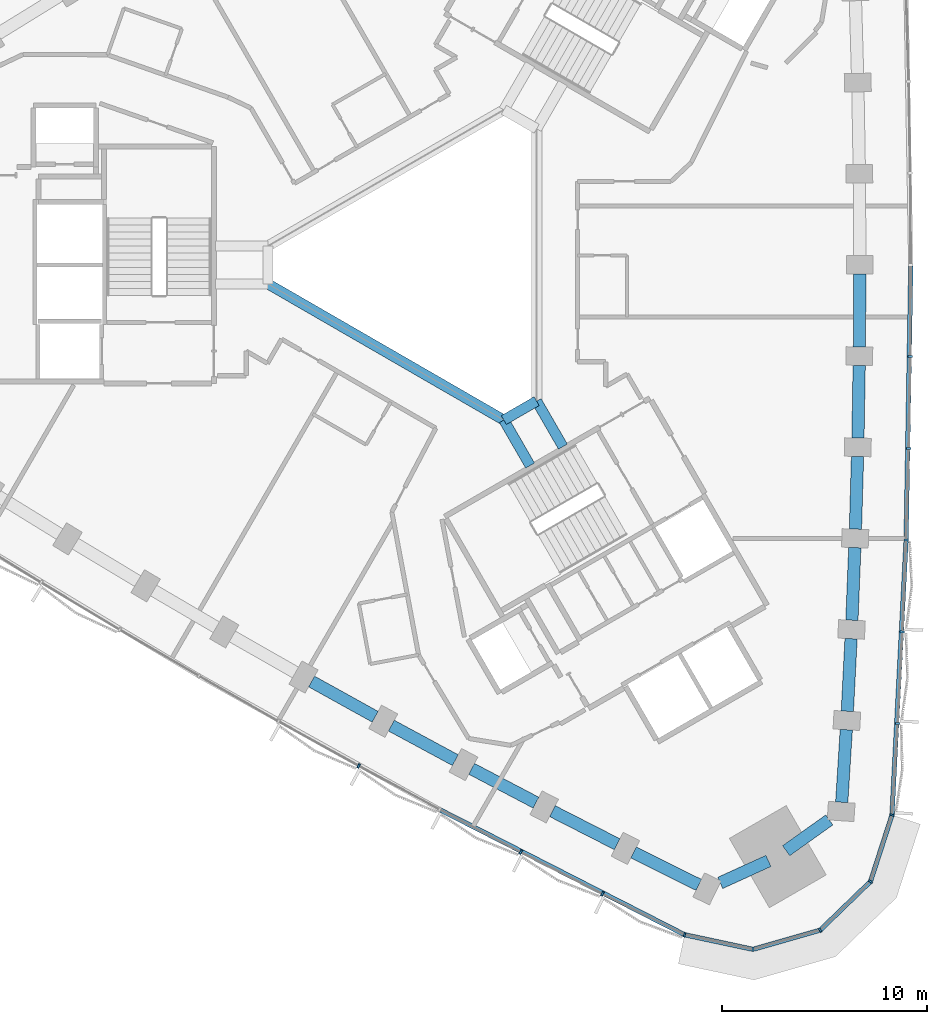
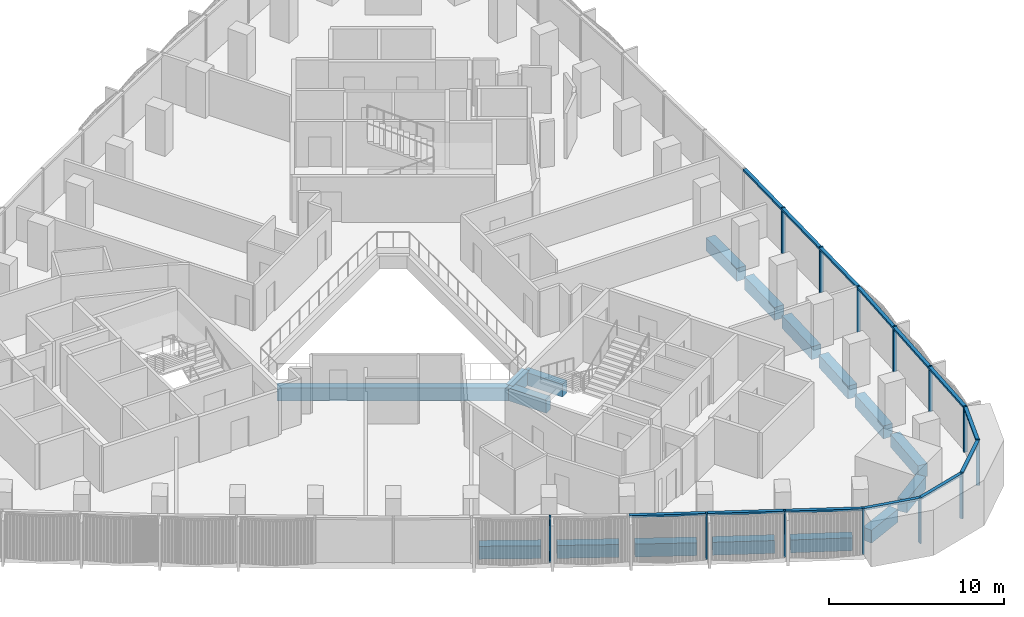
# One storey, part 3 of 15: 20 members, 17 beams, 2 elements without a shape of their own.
"""IFC4 building model written with IfcOpenShell, lengths in metres."""

from ifc_helpers import new_model, si_unit, direction, frame, origin, origin_2d, place, context, subcontext, project, spatial, rectangle, extrude, material, material_profile, profile_set, type_object, element, aggregate, save


model = new_model("IFC4")

# Units and contexts
model_context = context("Model", 3, precision=1e-05, world=origin(), true_north=direction((0.0, 1.0)))
body_context = subcontext(model_context, "Body", "Model", "MODEL_VIEW")
ifc_project = project(units=[si_unit("LENGTHUNIT", "METRE"), si_unit("AREAUNIT", "SQUARE_METRE"), si_unit("VOLUMEUNIT", "CUBIC_METRE"), si_unit("PLANEANGLEUNIT", "RADIAN"), si_unit("MASSUNIT", "GRAM", prefix="KILO")], contexts=[model_context])

# Site, building, storey
site_placement = place(None, origin())
site = spatial("IfcSite", under=ifc_project, at=site_placement, CompositionType="ELEMENT")
building_placement = place(site_placement, origin())
building = spatial("IfcBuilding", under=site, at=building_placement, Name="Tamra Quay Hotel Tower", CompositionType="ELEMENT")
storey_placement = place(building_placement, frame((0.0, 0.0, 97.39990234375)))
storey = spatial("IfcBuildingStorey", under=building, at=storey_placement, Name="L23", CompositionType="ELEMENT", Elevation=97.39990234375)

# Beams
ifc_material_1 = material(Name="Concrete M60", Category="concrete")
ifc_material_profile_1 = material_profile(ifc_material_1, rectangle(XDim=0.5, YDim=0.89990234375, at=origin_2d()), Name="ATRIUM EDGE BEAM RC 500x900")
ifc_profile_set_1 = profile_set([ifc_material_profile_1], Name="Concrete M60")
beam_type_1 = type_object("IfcBeamType", Name="ATRIUM EDGE BEAM RC 500x900", PredefinedType="BEAM", material=ifc_profile_set_1)
beam_1_placement = place(storey_placement, frame((4.89990234375, -6.639404296875, -0.875), z_axis=(-0.865989712182, -0.500061814573, 0.0), x_axis=(0.500061814573, -0.865989712182, 0.0)))
element("IfcBeam", 1, at=beam_1_placement, inside=storey, type_object=beam_type_1, Name="BM-AB1-L23", PredefinedType="BEAM", context=body_context, shape_type="SweptSolid", body=[
    extrude(rectangle(XDim=0.5, YDim=0.89990234375, at=origin_2d()), origin(), (0.0, 0.0, 1.0), 1.847412109375),
])
beam_2_placement = place(storey_placement, frame((3.300048828125, -7.563232421875, -0.875), z_axis=(-0.866029440693, 0.499993007805, 0.0), x_axis=(-0.499993007805, -0.866029440693, 0.0)))
element("IfcBeam", 2, at=beam_2_placement, inside=storey, type_object=beam_type_1, Name="BM-AB2-L23", PredefinedType="BEAM", context=body_context, shape_type="SweptSolid", body=[
    extrude(rectangle(XDim=0.5, YDim=0.89990234375, at=origin_2d()), origin(), (0.0, 0.0, 1.0), 13.279052734375),
])
ifc_material_profile_2 = material_profile(ifc_material_1, rectangle(XDim=0.5, YDim=0.89990234375, at=origin_2d()), Name="ATRIUM TIE BEAM RC 500x900")
ifc_profile_set_2 = profile_set([ifc_material_profile_2], Name="Concrete M60")
beam_type_2 = type_object("IfcBeamType", Name="ATRIUM TIE BEAM RC 500x900", PredefinedType="BEAM", material=ifc_profile_set_2)
for number, where, z_axis, x_axis, name in (
    (3, (4.89990234375, -6.639404296875, -0.875), (0.50003311468, -0.866006284171, 0.0), (0.866006284171, 0.50003311468, 0.0), "BM-TIE-1-L23"),
    (4, (3.300048828125, -7.563232421875, -0.875), (0.499961652204, -0.866047542763, 0.0), (0.866047542763, 0.499961652204, 0.0), "BM-TIE-2-L23"),
):
    element("IfcBeam", number, at=place(storey_placement, frame(where, z_axis=z_axis, x_axis=x_axis)), inside=storey, type_object=beam_type_2, Name=name, PredefinedType="BEAM", context=body_context, shape_type="SweptSolid", body=[
        extrude(rectangle(XDim=0.5, YDim=0.89990234375, at=origin_2d()), origin(), (0.0, 0.0, 1.0), 2.562255859375),
    ])

# Curtain wall, members
ifc_material_2 = material(Name="Aluminium 6063 anodised dark grey", Category="aluminium")
curtain_wall_type_1 = type_object("IfcCurtainWallType", Name="CW1 CURTAIN WALL", PredefinedType="NOTDEFINED", material=ifc_material_2)
curtain_wall_1_placement = place(storey_placement, origin())
curtain_wall_1 = element("IfcCurtainWall", 5, at=curtain_wall_1_placement, inside=storey, type_object=curtain_wall_type_1, Name="CW1 east face L23", PredefinedType="NOTDEFINED")
ifc_material_profile_3 = material_profile(ifc_material_2, rectangle(XDim=0.219970703125, YDim=0.10009765625, at=origin_2d()), Name="MULLION 100X220")
ifc_profile_set_3 = profile_set([ifc_material_profile_3], Name="Aluminium 6063 anodised dark grey")
member_type_1 = type_object("IfcMemberType", Name="MULLION CW1 Z2", PredefinedType="MULLION", material=ifc_profile_set_3)
member_1_placement = place(storey_placement, frame((22.226318359375, -26.81787109375, 0.0), z_axis=(0.0, 0.0, 1.0), x_axis=(0.982419091866, -0.186688853275, 0.0)))
member_1 = element("IfcMember", 6, at=member_1_placement, type_object=member_type_1, Name="CW1 mullion L23.E.1", PredefinedType="MULLION", context=body_context, shape_type="SweptSolid", body=[
    extrude(rectangle(XDim=0.219970703125, YDim=0.10009765625, at=origin_2d()), origin(), (0.0, 0.0, 1.0), 3.175048828125),
])
member_2_placement = place(storey_placement, frame((22.506591796875, -22.354248046875, 0.0), z_axis=(0.0, 0.0, 1.0), x_axis=(0.998374392587, -0.056996247479, 0.0)))
member_2 = element("IfcMember", 7, at=member_2_placement, type_object=member_type_1, Name="CW1 mullion L23.E.2", PredefinedType="MULLION", context=body_context, shape_type="SweptSolid", body=[
    extrude(rectangle(XDim=0.219970703125, YDim=0.10009765625, at=origin_2d()), origin(), (0.0, 0.0, 1.0), 3.175048828125),
])
member_3_placement = place(storey_placement, frame((22.736083984375, -17.886962890625, 0.0), z_axis=(0.0, 0.0, 1.0), x_axis=(0.998958269731, -0.045633050909, 0.0)))
member_3 = element("IfcMember", 8, at=member_3_placement, type_object=member_type_1, Name="CW1 mullion L23.E.3", PredefinedType="MULLION", context=body_context, shape_type="SweptSolid", body=[
    extrude(rectangle(XDim=0.219970703125, YDim=0.10009765625, at=origin_2d()), origin(), (0.0, 0.0, 1.0), 3.175048828125),
])
member_4_placement = place(storey_placement, frame((22.914794921875, -13.417236328125, 0.0), z_axis=(0.0, 0.0, 1.0), x_axis=(0.999413445306, -0.034245661637, 0.0)))
member_4 = element("IfcMember", 9, at=member_4_placement, type_object=member_type_1, Name="CW1 mullion L23.E.4", PredefinedType="MULLION", context=body_context, shape_type="SweptSolid", body=[
    extrude(rectangle(XDim=0.219970703125, YDim=0.10009765625, at=origin_2d()), origin(), (0.0, 0.0, 1.0), 3.175048828125),
])
member_5_placement = place(storey_placement, frame((23.04248046875, -8.94580078125, 0.0), z_axis=(0.0, 0.0, 1.0), x_axis=(0.99973912156, -0.022840508384, 0.0)))
member_5 = element("IfcMember", 10, at=member_5_placement, type_object=member_type_1, Name="CW1 mullion L23.E.5", PredefinedType="MULLION", context=body_context, shape_type="SweptSolid", body=[
    extrude(rectangle(XDim=0.219970703125, YDim=0.10009765625, at=origin_2d()), origin(), (0.0, 0.0, 1.0), 3.175048828125),
])
member_6_placement = place(storey_placement, frame((23.119140625, -4.47314453125, 0.0), z_axis=(0.0, 0.0, 1.0), x_axis=(0.999934749621, -0.011423506449, 0.0)))
member_6 = element("IfcMember", 11, at=member_6_placement, type_object=member_type_1, Name="CW1 mullion L23.E.6", PredefinedType="MULLION", context=body_context, shape_type="SweptSolid", body=[
    extrude(rectangle(XDim=0.219970703125, YDim=0.10009765625, at=origin_2d()), origin(), (0.0, 0.0, 1.0), 3.175048828125),
])

curtain_wall_type_2 = type_object("IfcCurtainWallType", Name="CW3 CURTAIN WALL", PredefinedType="NOTDEFINED", material=ifc_material_2)
curtain_wall_2_placement = place(storey_placement, origin())
curtain_wall_2 = element("IfcCurtainWall", 12, at=curtain_wall_2_placement, inside=storey, type_object=curtain_wall_type_2, Name="CW3 south-west face L23", PredefinedType="NOTDEFINED")
ifc_material_profile_4 = material_profile(ifc_material_2, rectangle(XDim=0.219970703125, YDim=0.10009765625, at=origin_2d()), Name="MULLION 100X220")
ifc_profile_set_4 = profile_set([ifc_material_profile_4], Name="Aluminium 6063 anodised dark grey")
member_type_2 = type_object("IfcMemberType", Name="MULLION CW3 Z2", PredefinedType="MULLION", material=ifc_profile_set_4)
member_7_placement = place(storey_placement, frame((-3.77392578125, -24.42822265625, 0.0), z_axis=(0.0, 0.0, 1.0), x_axis=(-0.480089100284, -0.87721973062, 0.0)))
member_7 = element("IfcMember", 13, at=member_7_placement, type_object=member_type_2, Name="CW3 mullion L23.SW.9", PredefinedType="MULLION", context=body_context, shape_type="SweptSolid", body=[
    extrude(rectangle(XDim=0.219970703125, YDim=0.10009765625, at=origin_2d()), origin(), (0.0, 0.0, 1.0), 3.175048828125),
])
member_8_placement = place(storey_placement, frame((4.122314453125, -28.633544921875, 0.0), z_axis=(0.0, 0.0, 1.0), x_axis=(-0.459959753526, -0.887939764362, 0.0)))
member_8 = element("IfcMember", 14, at=member_8_placement, type_object=member_type_2, Name="CW3 mullion L23.SW.11", PredefinedType="MULLION", context=body_context, shape_type="SweptSolid", body=[
    extrude(rectangle(XDim=0.219970703125, YDim=0.10009765625, at=origin_2d()), origin(), (0.0, 0.0, 1.0), 3.175048828125),
])
member_9_placement = place(storey_placement, frame((8.10595703125, -30.66845703125, 0.0), z_axis=(0.0, 0.0, 1.0), x_axis=(-0.449826998056, -0.893115710208, 0.0)))
member_9 = element("IfcMember", 15, at=member_9_placement, type_object=member_type_2, Name="CW3 mullion L23.SW.12", PredefinedType="MULLION", context=body_context, shape_type="SweptSolid", body=[
    extrude(rectangle(XDim=0.219970703125, YDim=0.10009765625, at=origin_2d()), origin(), (0.0, 0.0, 1.0), 3.175048828125),
])
member_10_placement = place(storey_placement, frame((12.111572265625, -32.657470703125, 0.0), z_axis=(0.0, 0.0, 1.0), x_axis=(-0.329532256394, -0.944144317356, 0.0)))
member_10 = element("IfcMember", 16, at=member_10_placement, type_object=member_type_2, Name="CW3 mullion L23.SW.13", PredefinedType="MULLION", context=body_context, shape_type="SweptSolid", body=[
    extrude(rectangle(XDim=0.219970703125, YDim=0.10009765625, at=origin_2d()), origin(), (0.0, 0.0, 1.0), 3.175048828125),
])
member_11_placement = place(storey_placement, frame((15.4462890625, -33.370849609375, 0.0), z_axis=(0.0, 0.0, 1.0), x_axis=(0.03404070031, -0.999420447421, 0.0)))
member_11 = element("IfcMember", 17, at=member_11_placement, type_object=member_type_2, Name="CW3 mullion L23.SW.14", PredefinedType="MULLION", context=body_context, shape_type="SweptSolid", body=[
    extrude(rectangle(XDim=0.219970703125, YDim=0.10009765625, at=origin_2d()), origin(), (0.0, 0.0, 1.0), 3.175048828125),
])
member_12_placement = place(storey_placement, frame((18.724853515625, -32.43212890625, 0.0), z_axis=(0.0, 0.0, 1.0), x_axis=(0.5, -0.866025403784, 0.0)))
member_12 = element("IfcMember", 18, at=member_12_placement, type_object=member_type_2, Name="CW3 mullion L23.SW.15", PredefinedType="MULLION", context=body_context, shape_type="SweptSolid", body=[
    extrude(rectangle(XDim=0.219970703125, YDim=0.10009765625, at=origin_2d()), origin(), (0.0, 0.0, 1.0), 3.175048828125),
])
member_13_placement = place(storey_placement, frame((21.1767578125, -30.062255859375, 0.0), z_axis=(0.0, 0.0, 1.0), x_axis=(0.848503146373, -0.529190334941, 0.0)))
member_13 = element("IfcMember", 19, at=member_13_placement, type_object=member_type_2, Name="CW3 mullion L23.SW.16", PredefinedType="MULLION", context=body_context, shape_type="SweptSolid", body=[
    extrude(rectangle(XDim=0.219970703125, YDim=0.10009765625, at=origin_2d()), origin(), (0.0, 0.0, 1.0), 3.175048828125),
])

# Beams
ifc_material_profile_5 = material_profile(ifc_material_1, rectangle(XDim=0.60009765625, YDim=0.89990234375, at=origin_2d()), Name="SPANDREL BEAM RC 600x900")
ifc_profile_set_5 = profile_set([ifc_material_profile_5], Name="Concrete M60")
beam_type_3 = type_object("IfcBeamType", Name="SPANDREL BEAM RC 600x900", PredefinedType="SPANDREL", material=ifc_profile_set_5)
beam_3_placement = place(storey_placement, frame((19.7744140625, -26.199462890625, -0.875), z_axis=(0.062669833409, 0.99803431403, 0.0), x_axis=(-0.99803431403, 0.062669833409, 0.0)))
element("IfcBeam", 20, at=beam_3_placement, inside=storey, type_object=beam_type_3, Name="BM-SP2-000-L23", PredefinedType="SPANDREL", context=body_context, shape_type="SweptSolid", body=[
    extrude(rectangle(XDim=0.60009765625, YDim=0.89990234375, at=origin_2d()), origin(), (0.0, 0.0, 1.0), 3.545166015625),
])
beam_4_placement = place(storey_placement, frame((20.048095703125, -21.7626953125, -0.875), z_axis=(0.051311627905, 0.998682690769, 0.0), x_axis=(-0.998682690769, 0.051311627905, 0.0)))
element("IfcBeam", 21, at=beam_4_placement, inside=storey, type_object=beam_type_3, Name="BM-SP2-001-L23", PredefinedType="SPANDREL", context=body_context, shape_type="SweptSolid", body=[
    extrude(rectangle(XDim=0.60009765625, YDim=0.89990234375, at=origin_2d()), origin(), (0.0, 0.0, 1.0), 3.544677734375),
])
for number, where, z_axis, x_axis, name in (
    (22, (20.27099609375, -17.323486328125, -0.875), (0.039946034354, 0.999201838639, 0.0), (-0.999201838639, 0.039946034354, 0.0), "BM-SP2-002-L23"),
    (23, (20.443359375, -12.882080078125, -0.875), (0.02858140136, 0.999591468299, 0.0), (-0.999591468299, 0.02858140136, 0.0), "BM-SP2-003-L23"),
):
    element("IfcBeam", number, at=place(storey_placement, frame(where, z_axis=z_axis, x_axis=x_axis)), inside=storey, type_object=beam_type_3, Name=name, PredefinedType="SPANDREL", context=body_context, shape_type="SweptSolid", body=[
        extrude(rectangle(XDim=0.60009765625, YDim=0.89990234375, at=origin_2d()), origin(), (0.0, 0.0, 1.0), 3.544921875),
    ])
beam_5_placement = place(storey_placement, frame((20.565185546875, -8.43896484375, -0.875), z_axis=(0.017149781635, 0.99985293168, 0.0), x_axis=(-0.99985293168, 0.017149781635, 0.0)))
element("IfcBeam", 24, at=beam_5_placement, inside=storey, type_object=beam_type_3, Name="BM-SP2-004-L23", PredefinedType="SPANDREL", context=body_context, shape_type="SweptSolid", body=[
    extrude(rectangle(XDim=0.60009765625, YDim=0.89990234375, at=origin_2d()), origin(), (0.0, 0.0, 1.0), 3.544677734375),
])
for number, where, z_axis, x_axis, name in (
    (25, (20.63623046875, -3.994873046875, -0.875), (0.005716160055, 0.999983662624, 0.0), (-0.999983662624, 0.005716160055, 0.0), "BM-SP2-005-L23"),
    (26, (-6.073974609375, -20.309814453125, -0.875), (0.874475461638, -0.48506975477, 0.0), (0.48506975477, 0.874475461638, 0.0), "BM-SP2-035-L23"),
    (27, (-2.184814453125, -22.46142578125, -0.875), (0.879950887438, -0.475064664753, 0.0), (0.475064664753, 0.879950887438, 0.0), "BM-SP2-036-L23"),
):
    element("IfcBeam", number, at=place(storey_placement, frame(where, z_axis=z_axis, x_axis=x_axis)), inside=storey, type_object=beam_type_3, Name=name, PredefinedType="SPANDREL", context=body_context, shape_type="SweptSolid", body=[
        extrude(rectangle(XDim=0.60009765625, YDim=0.89990234375, at=origin_2d()), origin(), (0.0, 0.0, 1.0), 3.544921875),
    ])
beam_6_placement = place(storey_placement, frame((1.72900390625, -24.568603515625, -0.875), z_axis=(0.885322773021, -0.464976975312, 0.0), x_axis=(0.464976975312, 0.885322773021, 0.0)))
element("IfcBeam", 28, at=beam_6_placement, inside=storey, type_object=beam_type_3, Name="BM-SP2-037-L23", PredefinedType="SPANDREL", context=body_context, shape_type="SweptSolid", body=[
    extrude(rectangle(XDim=0.60009765625, YDim=0.89990234375, at=origin_2d()), origin(), (0.0, 0.0, 1.0), 3.544677734375),
])
beam_7_placement = place(storey_placement, frame((5.666259765625, -26.630859375, -0.875), z_axis=(0.890551251107, -0.45488291807, 0.0), x_axis=(0.45488291807, 0.890551251107, 0.0)))
element("IfcBeam", 29, at=beam_7_placement, inside=storey, type_object=beam_type_3, Name="BM-SP2-038-L23", PredefinedType="SPANDREL", context=body_context, shape_type="SweptSolid", body=[
    extrude(rectangle(XDim=0.60009765625, YDim=0.89990234375, at=origin_2d()), origin(), (0.0, 0.0, 1.0), 3.544921875),
])
beam_8_placement = place(storey_placement, frame((9.626953125, -28.648193359375, -0.875), z_axis=(0.895622275285, -0.444815399928, 0.0), x_axis=(0.444815399928, 0.895622275285, 0.0)))
element("IfcBeam", 30, at=beam_8_placement, inside=storey, type_object=beam_type_3, Name="BM-SP2-039-L23", PredefinedType="SPANDREL", context=body_context, shape_type="SweptSolid", body=[
    extrude(rectangle(XDim=0.60009765625, YDim=0.89990234375, at=origin_2d()), origin(), (0.0, 0.0, 1.0), 3.545166015625),
])
for number, where, z_axis, x_axis, name in (
    (31, (13.8505859375, -30.130615234375, -0.875), (0.909819048293, 0.415005179923, 0.0), (-0.415005179923, 0.909819048293, 0.0), "BM-SP2-040-L23"),
    (32, (17.063720703125, -28.560546875, -0.875), (0.814339289036, 0.580389112865, 0.0), (-0.580389112865, 0.814339289036, 0.0), "BM-SP2-041-L23"),
):
    element("IfcBeam", number, at=place(storey_placement, frame(where, z_axis=z_axis, x_axis=x_axis)), inside=storey, type_object=beam_type_3, Name=name, PredefinedType="SPANDREL", context=body_context, shape_type="SweptSolid", body=[
        extrude(rectangle(XDim=0.60009765625, YDim=0.89990234375, at=origin_2d()), origin(), (0.0, 0.0, 1.0), 2.5849609375),
    ])

# Member
ifc_material_profile_6 = material_profile(ifc_material_2, rectangle(XDim=0.219970703125, YDim=0.139892578125, at=origin_2d()), Name="TRANSOM 220X140")
ifc_profile_set_6 = profile_set([ifc_material_profile_6], Name="Aluminium 6063 anodised dark grey")
member_type_3 = type_object("IfcMemberType", Name="TRANSOM CW1 Z2", PredefinedType="USERDEFINED", material=ifc_profile_set_6)
member_14_placement = place(storey_placement, frame((22.2294921875, -26.767822265625, 3.10498046875), z_axis=(0.051309919366, 0.998682778551, 0.0), x_axis=(-0.998682778551, 0.051309919366, 0.0)))
member_14 = element("IfcMember", 33, at=member_14_placement, type_object=member_type_3, Name="CW1 transom L23.E.1", ObjectType="TRANSOM", PredefinedType="USERDEFINED", context=body_context, shape_type="SweptSolid", body=[
    extrude(rectangle(XDim=0.219970703125, YDim=0.139892578125, at=origin_2d()), origin(), (0.0, 0.0, 1.0), 13.318115234375),
])

member_15_placement = place(storey_placement, frame((22.916259765625, -13.3671875, 3.10498046875), z_axis=(0.017138663343, 0.999853122323, 0.0), x_axis=(-0.999853122323, 0.017138663343, 0.0)))
member_15 = element("IfcMember", 34, at=member_15_placement, type_object=member_type_3, Name="CW1 transom L23.E.4", ObjectType="TRANSOM", PredefinedType="USERDEFINED", context=body_context, shape_type="SweptSolid", body=[
    extrude(rectangle(XDim=0.219970703125, YDim=0.139892578125, at=origin_2d()), origin(), (0.0, 0.0, 1.0), 13.319091796875),
])

aggregate(curtain_wall_1, [member_1, member_14, member_2, member_3, member_4, member_15, member_5, member_6])

ifc_material_profile_7 = material_profile(ifc_material_2, rectangle(XDim=0.219970703125, YDim=0.139892578125, at=origin_2d()), Name="TRANSOM 220X140")
ifc_profile_set_7 = profile_set([ifc_material_profile_7], Name="Aluminium 6063 anodised dark grey")
member_type_4 = type_object("IfcMemberType", Name="TRANSOM CW3 Z2", PredefinedType="USERDEFINED", material=ifc_profile_set_7)
member_16_placement = place(storey_placement, frame((0.20654296875, -26.57666015625, 3.10498046875), z_axis=(0.890537010915, -0.45491079586, 0.0), x_axis=(0.45491079586, 0.890537010915, 0.0)))
member_16 = element("IfcMember", 35, at=member_16_placement, type_object=member_type_4, Name="CW3 transom L23.SW.10", ObjectType="TRANSOM", PredefinedType="USERDEFINED", context=body_context, shape_type="SweptSolid", body=[
    extrude(rectangle(XDim=0.219970703125, YDim=0.139892578125, at=origin_2d()), origin(), (0.0, 0.0, 1.0), 13.318115234375),
])

member_17_placement = place(storey_placement, frame((12.16064453125, -32.66796875, 3.10498046875), z_axis=(0.977877907042, -0.209176477928, 0.0), x_axis=(0.209176477928, 0.977877907042, 0.0)))
member_17 = element("IfcMember", 36, at=member_17_placement, type_object=member_type_4, Name="CW3 transom L23.SW.13", ObjectType="TRANSOM", PredefinedType="USERDEFINED", context=body_context, shape_type="SweptSolid", body=[
    extrude(rectangle(XDim=0.219970703125, YDim=0.139892578125, at=origin_2d()), origin(), (0.0, 0.0, 1.0), 3.31005859375),
])

member_18_placement = place(storey_placement, frame((15.494384765625, -33.35693359375, 3.10498046875), z_axis=(0.961393028347, 0.275178932778, 0.0), x_axis=(-0.275178932778, 0.961393028347, 0.0)))
member_18 = element("IfcMember", 37, at=member_18_placement, type_object=member_type_4, Name="CW3 transom L23.SW.14", ObjectType="TRANSOM", PredefinedType="USERDEFINED", context=body_context, shape_type="SweptSolid", body=[
    extrude(rectangle(XDim=0.219970703125, YDim=0.139892578125, at=origin_2d()), origin(), (0.0, 0.0, 1.0), 3.31005859375),
])

member_19_placement = place(storey_placement, frame((18.7607421875, -32.3974609375, 3.10498046875), z_axis=(0.719063315741, 0.694944564664, 0.0), x_axis=(-0.694944564664, 0.719063315741, 0.0)))
member_19 = element("IfcMember", 38, at=member_19_placement, type_object=member_type_4, Name="CW3 transom L23.SW.15", ObjectType="TRANSOM", PredefinedType="USERDEFINED", context=body_context, shape_type="SweptSolid", body=[
    extrude(rectangle(XDim=0.219970703125, YDim=0.139892578125, at=origin_2d()), origin(), (0.0, 0.0, 1.0), 3.31005859375),
])

member_20_placement = place(storey_placement, frame((21.192138671875, -30.0146484375, 3.10498046875), z_axis=(0.307784937637, 0.951455953875, 0.0), x_axis=(-0.951455953875, 0.307784937637, 0.0)))
member_20 = element("IfcMember", 39, at=member_20_placement, type_object=member_type_4, Name="CW3 transom L23.SW.16", ObjectType="TRANSOM", PredefinedType="USERDEFINED", context=body_context, shape_type="SweptSolid", body=[
    extrude(rectangle(XDim=0.219970703125, YDim=0.139892578125, at=origin_2d()), origin(), (0.0, 0.0, 1.0), 3.31005859375),
])

aggregate(curtain_wall_2, [member_7, member_16, member_8, member_9, member_10, member_17, member_11, member_18, member_12, member_19, member_13, member_20])

save(model, "model.ifc")
